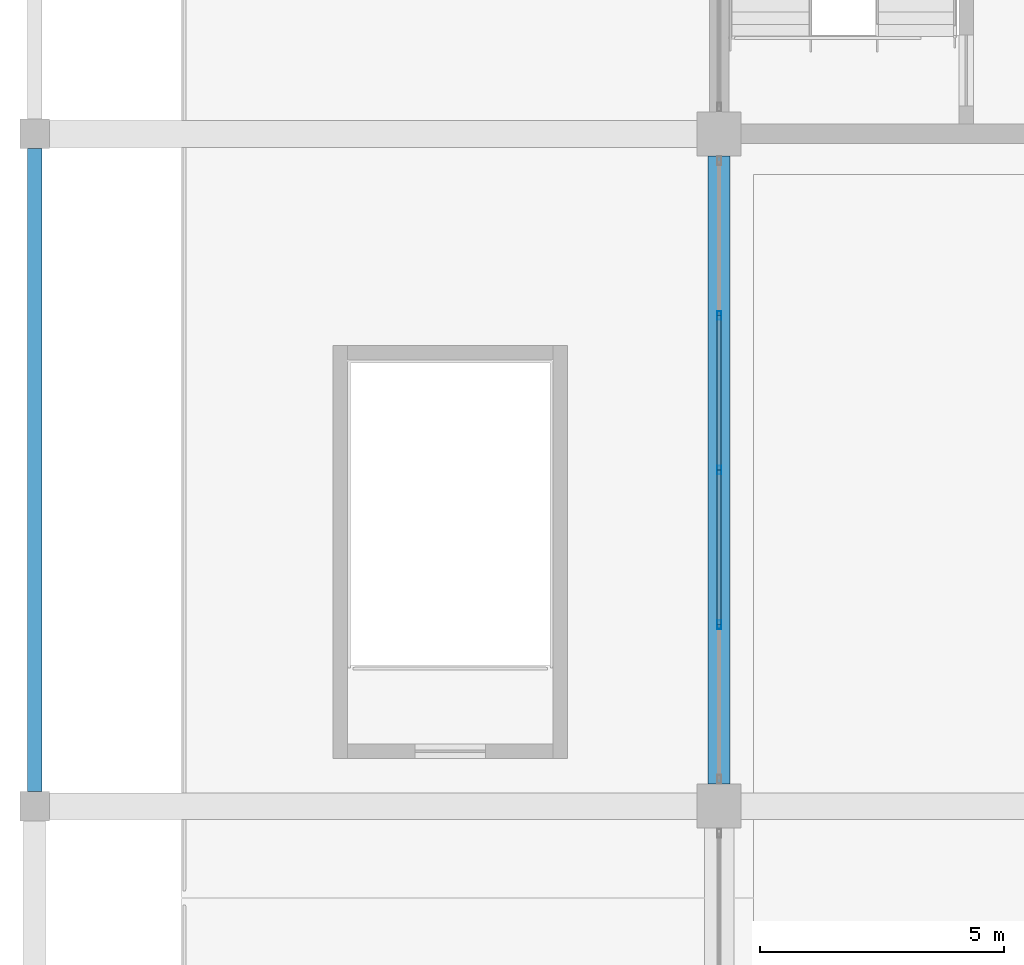
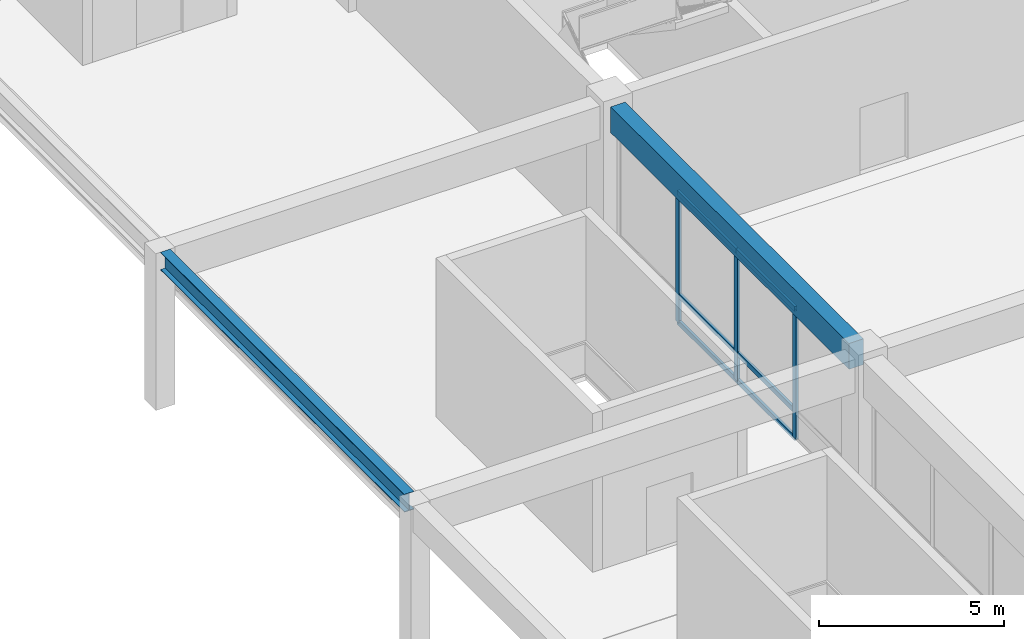
# One storey, part 26 of 90: 9 members, 2 beams, 1 element without a shape of its own.
"""IFC4 building model written with IfcOpenShell, lengths in metres."""

from ifc_helpers import new_model, si_unit, direction, frame, origin, origin_2d, place, context, subcontext, project, spatial, rectangle, hollow_rectangle, i_section, extrude, material, material_profile, profile_set, type_object, element, aggregate, save


model = new_model("IFC4")

# Units and contexts
model_context = context("Model", 3, precision=1e-05, world=origin(), true_north=direction((0.0, 1.0)))
body_context = subcontext(model_context, "Body", "Model", "MODEL_VIEW")
ifc_project = project(units=[si_unit("LENGTHUNIT", "METRE"), si_unit("AREAUNIT", "SQUARE_METRE"), si_unit("VOLUMEUNIT", "CUBIC_METRE"), si_unit("PLANEANGLEUNIT", "RADIAN"), si_unit("MASSUNIT", "GRAM", prefix="KILO")], contexts=[model_context])

# Site, building, storey
site_placement = place(None, origin())
site = spatial("IfcSite", under=ifc_project, at=site_placement, CompositionType="ELEMENT")
building_placement = place(site_placement, origin())
building = spatial("IfcBuilding", under=site, at=building_placement, Name="Linyun Crest Stadium", CompositionType="ELEMENT")
storey_placement = place(building_placement, frame((0.0, 0.0, 21.0)))
storey = spatial("IfcBuildingStorey", under=building, at=storey_placement, Name="L05", CompositionType="ELEMENT", Elevation=21.0)

# Beams
ifc_material_1 = material(Name="Concrete C40", Category="concrete")
ifc_material_profile_1 = material_profile(ifc_material_1, rectangle(XDim=0.449951171875, YDim=0.85009765625, at=origin_2d()), Name="RCB 850x450")
ifc_profile_set_1 = profile_set([ifc_material_profile_1], Name="Concrete C40")
beam_type_1 = type_object("IfcBeamType", Name="B04", PredefinedType="BEAM", material=ifc_profile_set_1)
beam_1_placement = place(storey_placement, frame((-84.0, -11.175048828125, 4.735107421875), z_axis=(0.0, 1.0, 0.0), x_axis=(-1.0, 0.0, 0.0)))
element("IfcBeam", 1, at=beam_1_placement, inside=storey, type_object=beam_type_1, Name="Frame beam B04 L05 367", PredefinedType="BEAM", context=body_context, shape_type="SweptSolid", body=[
    extrude(rectangle(XDim=0.449951171875, YDim=0.85009765625, at=origin_2d()), origin(), (0.0, 0.0, 1.0), 12.85009765625),
])
ifc_material_2 = material(Name="Steel Q355C", Category="steel")
ifc_material_profile_2 = material_profile(ifc_material_2, i_section(OverallWidth=0.300048828125, OverallDepth=0.587890625, WebThickness=0.011962890625, FlangeThickness=0.02001953125, at=origin_2d()), Name="HM 588x300")
ifc_profile_set_2 = profile_set([ifc_material_profile_2], Name="Steel Q355C")
beam_type_2 = type_object("IfcBeamType", Name="B09", PredefinedType="BEAM", material=ifc_profile_set_2)
beam_2_placement = place(storey_placement, frame((-98.0, -11.324951171875, 4.865966796875), z_axis=(0.0, 1.0, 0.0), x_axis=(-1.0, 0.0, 0.0)))
element("IfcBeam", 2, at=beam_2_placement, inside=storey, type_object=beam_type_2, Name="Frame beam B09 L05 361", PredefinedType="BEAM", context=body_context, shape_type="SweptSolid", body=[
    extrude(i_section(OverallWidth=0.300048828125, OverallDepth=0.587890625, WebThickness=0.011962890625, FlangeThickness=0.02001953125, at=origin_2d()), origin(), (0.0, 0.0, 1.0), 13.14990234375),
])

# Curtain wall, members
ifc_material_3 = material(Name="Verdigris steel and low-E curtain wall assembly", Category="steel")
curtain_wall_type = type_object("IfcCurtainWallType", Name="MCW01", PredefinedType="NOTDEFINED", material=ifc_material_3)
curtain_wall_placement = place(storey_placement, origin())
curtain_wall = element("IfcCurtainWall", 3, at=curtain_wall_placement, inside=storey, type_object=curtain_wall_type, Name="CWR-094", PredefinedType="NOTDEFINED")
ifc_material_4 = material(Name="Verdigris painted steel Q355B mullion", Category="steel")
ifc_material_profile_3 = material_profile(ifc_material_4, hollow_rectangle(XDim=0.080078125, YDim=0.179931640625, WallThickness=0.006103515625, at=origin_2d()), Name="RHS 180x80x6")
ifc_profile_set_3 = profile_set([ifc_material_profile_3], Name="Verdigris painted steel Q355B mullion")
member_type_1 = type_object("IfcMemberType", Name="ML02", PredefinedType="MULLION", material=ifc_profile_set_3)
member_1_placement = place(storey_placement, frame((-84.0, -7.912109375, 0.0), z_axis=(0.0, 0.0, 1.0), x_axis=(-1.0, 0.0, 0.0)))
member_1 = element("IfcMember", 4, at=member_1_placement, type_object=member_type_1, Name="CWR-094 mullion 2", PredefinedType="MULLION", context=body_context, shape_type="SweptSolid", body=[
    extrude(hollow_rectangle(XDim=0.080078125, YDim=0.179931640625, WallThickness=0.006103515625, at=origin_2d()), origin(), (0.0, 0.0, 1.0), 4.25),
])
member_2_placement = place(storey_placement, frame((-84.0, -4.75, 0.0), z_axis=(0.0, 0.0, 1.0), x_axis=(-1.0, 0.0, 0.0)))
member_2 = element("IfcMember", 5, at=member_2_placement, type_object=member_type_1, Name="CWR-094 mullion 3", PredefinedType="MULLION", context=body_context, shape_type="SweptSolid", body=[
    extrude(hollow_rectangle(XDim=0.080078125, YDim=0.179931640625, WallThickness=0.006103515625, at=origin_2d()), origin(), (0.0, 0.0, 1.0), 4.25),
])
member_3_placement = place(storey_placement, frame((-84.0, -1.587890625, 0.0), z_axis=(0.0, 0.0, 1.0), x_axis=(-1.0, 0.0, 0.0)))
member_3 = element("IfcMember", 6, at=member_3_placement, type_object=member_type_1, Name="CWR-094 mullion 4", PredefinedType="MULLION", context=body_context, shape_type="SweptSolid", body=[
    extrude(hollow_rectangle(XDim=0.080078125, YDim=0.179931640625, WallThickness=0.006103515625, at=origin_2d()), origin(), (0.0, 0.0, 1.0), 4.25),
])
ifc_material_5 = material(Name="Aluminium thermally broken transom", Category="aluminium")
ifc_material_profile_4 = material_profile(ifc_material_5, hollow_rectangle(XDim=0.080078125, YDim=0.159912109375, WallThickness=0.006103515625, at=origin_2d()), Name="RHS 160x80x6")
ifc_profile_set_4 = profile_set([ifc_material_profile_4], Name="Aluminium thermally broken transom")
member_type_2 = type_object("IfcMemberType", Name="TR01", PredefinedType="USERDEFINED", material=ifc_profile_set_4)
member_4_placement = place(storey_placement, frame((-84.0, -7.912109375, 0.0), z_axis=(0.0, 1.0, 0.0), x_axis=(-1.0, 0.0, 0.0)))
member_4 = element("IfcMember", 7, at=member_4_placement, type_object=member_type_2, Name="CWR-094 transom 2.1", ObjectType="TRANSOM", PredefinedType="USERDEFINED", context=body_context, shape_type="SweptSolid", body=[
    extrude(hollow_rectangle(XDim=0.080078125, YDim=0.159912109375, WallThickness=0.006103515625, at=origin_2d()), origin(), (0.0, 0.0, 1.0), 3.162109375),
])
member_5_placement = place(storey_placement, frame((-84.0, -7.912109375, 0.89990234375), z_axis=(0.0, 1.0, 0.0), x_axis=(-1.0, 0.0, 0.0)))
member_5 = element("IfcMember", 8, at=member_5_placement, type_object=member_type_2, Name="CWR-094 transom 2.2", ObjectType="TRANSOM", PredefinedType="USERDEFINED", context=body_context, shape_type="SweptSolid", body=[
    extrude(hollow_rectangle(XDim=0.080078125, YDim=0.159912109375, WallThickness=0.006103515625, at=origin_2d()), origin(), (0.0, 0.0, 1.0), 3.162109375),
])
member_6_placement = place(storey_placement, frame((-84.0, -7.912109375, 4.25), z_axis=(0.0, 1.0, 0.0), x_axis=(-1.0, 0.0, 0.0)))
member_6 = element("IfcMember", 9, at=member_6_placement, type_object=member_type_2, Name="CWR-094 transom 2.3", ObjectType="TRANSOM", PredefinedType="USERDEFINED", context=body_context, shape_type="SweptSolid", body=[
    extrude(hollow_rectangle(XDim=0.080078125, YDim=0.159912109375, WallThickness=0.006103515625, at=origin_2d()), origin(), (0.0, 0.0, 1.0), 3.162109375),
])
member_7_placement = place(storey_placement, frame((-84.0, -4.75, 0.0), z_axis=(0.0, 1.0, 0.0), x_axis=(-1.0, 0.0, 0.0)))
member_7 = element("IfcMember", 10, at=member_7_placement, type_object=member_type_2, Name="CWR-094 transom 3.1", ObjectType="TRANSOM", PredefinedType="USERDEFINED", context=body_context, shape_type="SweptSolid", body=[
    extrude(hollow_rectangle(XDim=0.080078125, YDim=0.159912109375, WallThickness=0.006103515625, at=origin_2d()), origin(), (0.0, 0.0, 1.0), 3.162109375),
])
member_8_placement = place(storey_placement, frame((-84.0, -4.75, 0.89990234375), z_axis=(0.0, 1.0, 0.0), x_axis=(-1.0, 0.0, 0.0)))
member_8 = element("IfcMember", 11, at=member_8_placement, type_object=member_type_2, Name="CWR-094 transom 3.2", ObjectType="TRANSOM", PredefinedType="USERDEFINED", context=body_context, shape_type="SweptSolid", body=[
    extrude(hollow_rectangle(XDim=0.080078125, YDim=0.159912109375, WallThickness=0.006103515625, at=origin_2d()), origin(), (0.0, 0.0, 1.0), 3.162109375),
])
member_9_placement = place(storey_placement, frame((-84.0, -4.75, 4.25), z_axis=(0.0, 1.0, 0.0), x_axis=(-1.0, 0.0, 0.0)))
member_9 = element("IfcMember", 12, at=member_9_placement, type_object=member_type_2, Name="CWR-094 transom 3.3", ObjectType="TRANSOM", PredefinedType="USERDEFINED", context=body_context, shape_type="SweptSolid", body=[
    extrude(hollow_rectangle(XDim=0.080078125, YDim=0.159912109375, WallThickness=0.006103515625, at=origin_2d()), origin(), (0.0, 0.0, 1.0), 3.162109375),
])
aggregate(curtain_wall, [member_1, member_2, member_3, member_4, member_5, member_6, member_7, member_8, member_9])

save(model, "model.ifc")
